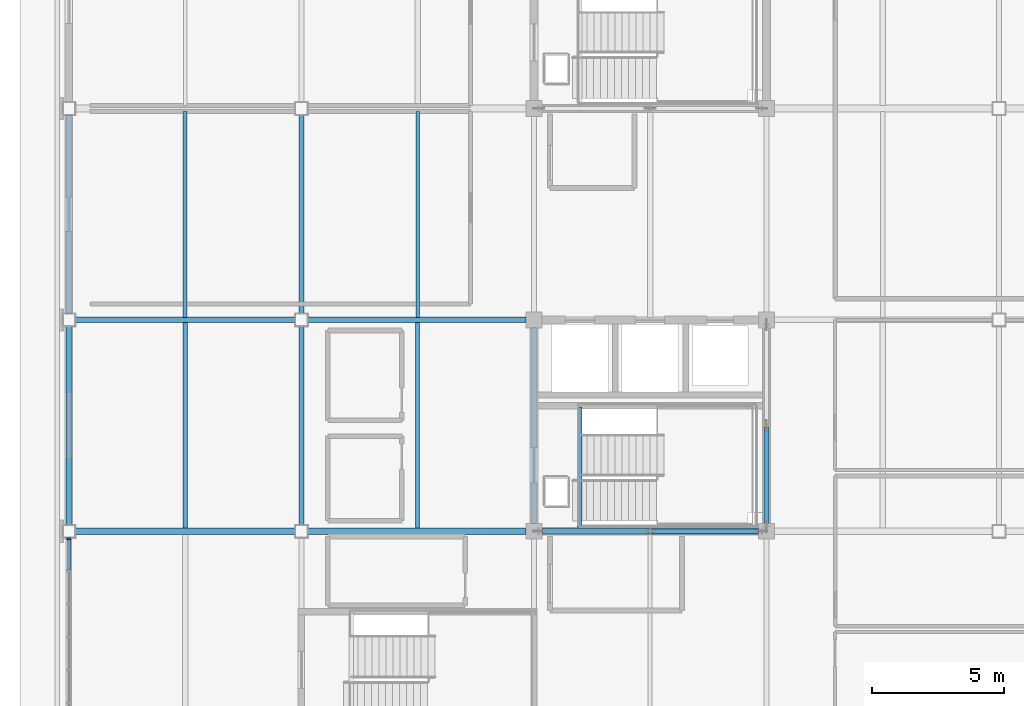
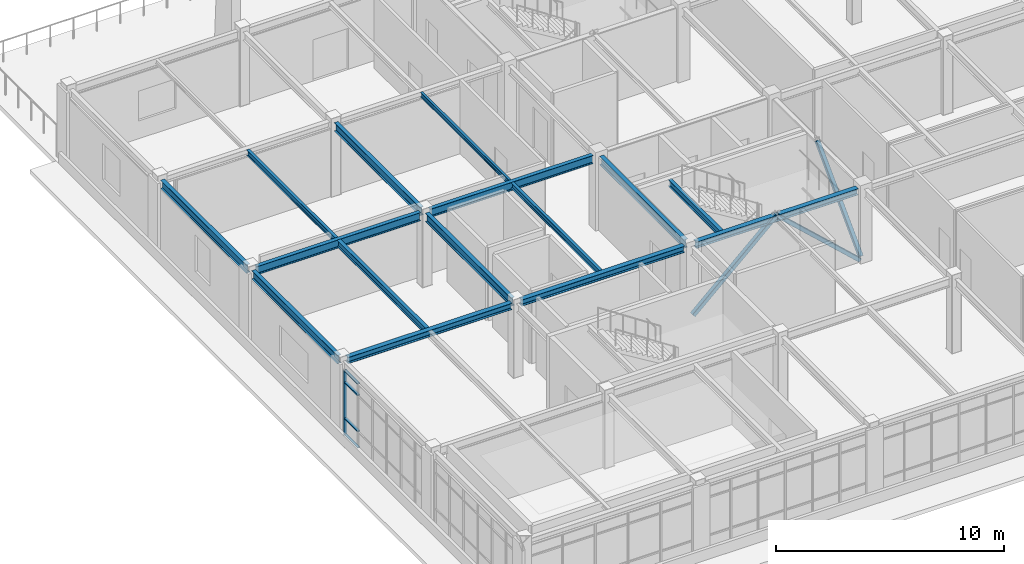
# One storey, part 5 of 22: 15 beams, 8 members, 1 element without a shape of its own.
"""IFC4 building model written with IfcOpenShell, lengths in metres."""

from ifc_helpers import new_model, si_unit, direction, frame, origin, origin_2d, place, context, subcontext, project, spatial, rectangle, hollow_rectangle, i_section, extrude, material, material_profile, profile_set, type_object, element, aggregate, save


model = new_model("IFC4")

# Units and contexts
model_context = context("Model", 3, precision=1e-05, world=origin(), true_north=direction((0.0, 1.0)))
body_context = subcontext(model_context, "Body", "Model", "MODEL_VIEW")
ifc_project = project(units=[si_unit("LENGTHUNIT", "METRE"), si_unit("AREAUNIT", "SQUARE_METRE"), si_unit("VOLUMEUNIT", "CUBIC_METRE"), si_unit("PLANEANGLEUNIT", "RADIAN"), si_unit("MASSUNIT", "GRAM", prefix="KILO")], contexts=[model_context])

# Site, building, storey
site_placement = place(None, origin())
site = spatial("IfcSite", under=ifc_project, at=site_placement, CompositionType="ELEMENT")
building_placement = place(site_placement, origin())
building = spatial("IfcBuilding", under=site, at=building_placement, Name="Zhaolan Boulevard Law Courts", CompositionType="ELEMENT")
storey_placement = place(building_placement, frame((0.0, 0.0, 28.800048828125)))
storey = spatial("IfcBuildingStorey", under=building, at=storey_placement, Name="L06", CompositionType="ELEMENT", Elevation=28.800048828125)

# Members
ifc_material_1 = material(Name="Structural steel Q355B", Category="steel")
ifc_material_profile_1 = material_profile(ifc_material_1, hollow_rectangle(XDim=0.199951171875, YDim=0.199951171875, WallThickness=0.010009765625, InnerFilletRadius=0.010009765625, OuterFilletRadius=0.02001953125, at=origin_2d()), Name="HSS200x200x10")
ifc_profile_set_1 = profile_set([ifc_material_profile_1], Name="Structural steel Q355B")
member_type_1 = type_object("IfcMemberType", Name="BRACE HSS200", PredefinedType="BRACE", material=ifc_profile_set_1)
member_1_placement = place(storey_placement, frame((26.219970703125, 46.0, 0.030029296875), z_axis=(-0.735277847563, 0.0, 0.677765805336), x_axis=(0.0, -1.0, 0.0)))
element("IfcMember", 1, at=member_1_placement, inside=storey, type_object=member_type_1, Name="Core Brace BR-W1-L06-S2", PredefinedType="BRACE", context=body_context, shape_type="SweptSolid", body=[
    extrude(hollow_rectangle(XDim=0.199951171875, YDim=0.199951171875, WallThickness=0.010009765625, InnerFilletRadius=0.010009765625, OuterFilletRadius=0.02001953125, at=origin_2d()), origin(), (0.0, 0.0, 1.0), 5.7392578125),
])
member_2_placement = place(storey_placement, frame((26.39990234375, 46.179931640625, 0.030029296875), z_axis=(0.0, 0.700674230962, 0.713481339676), x_axis=(-1.0, 0.0, 0.0)))
element("IfcMember", 2, at=member_2_placement, inside=storey, type_object=member_type_1, Name="Core Brace BR-W1-L06-E1", PredefinedType="BRACE", context=body_context, shape_type="SweptSolid", body=[
    extrude(hollow_rectangle(XDim=0.199951171875, YDim=0.199951171875, WallThickness=0.010009765625, InnerFilletRadius=0.010009765625, OuterFilletRadius=0.02001953125, at=origin_2d()), origin(), (0.0, 0.0, 1.0), 5.451904296875),
])
ifc_material_2 = material(Name="Structural steel Q355B", Category="steel")
ifc_material_profile_2 = material_profile(ifc_material_2, hollow_rectangle(XDim=0.219970703125, YDim=0.219970703125, WallThickness=0.010009765625, InnerFilletRadius=0.010009765625, OuterFilletRadius=0.02001953125, at=origin_2d()), Name="HSS220x220x10")
ifc_profile_set_2 = profile_set([ifc_material_profile_2], Name="Structural steel Q355B")
member_type_2 = type_object("IfcMemberType", Name="BRACE HSS220", PredefinedType="BRACE", material=ifc_profile_set_2)
member_3_placement = place(storey_placement, frame((17.780029296875, 46.0, 0.030029296875), z_axis=(0.735277847563, 0.0, 0.677765805336), x_axis=(0.0, 1.0, 0.0)))
element("IfcMember", 3, at=member_3_placement, inside=storey, type_object=member_type_2, Name="Core Brace BR-W1-L06-S1", PredefinedType="BRACE", context=body_context, shape_type="SweptSolid", body=[
    extrude(hollow_rectangle(XDim=0.219970703125, YDim=0.219970703125, WallThickness=0.010009765625, InnerFilletRadius=0.010009765625, OuterFilletRadius=0.02001953125, at=origin_2d()), origin(), (0.0, 0.0, 1.0), 5.7392578125),
])

# Curtain wall, members
ifc_material_3 = material(Name="Thermally broken aluminium and low-E glazing", Category="aluminium")
curtain_wall_type = type_object("IfcCurtainWallType", Name="CURTAIN WALL M14", PredefinedType="USERDEFINED", material=ifc_material_3)
curtain_wall_placement = place(storey_placement, origin())
curtain_wall = element("IfcCurtainWall", 4, at=curtain_wall_placement, inside=storey, type_object=curtain_wall_type, Name="Curtain Wall CW-L06-230", ObjectType="CURTAIN WALL", PredefinedType="USERDEFINED")
ifc_material_4 = material(Name="Fluorocarbon-coated aluminium 6063-T6", Category="aluminium")
ifc_material_profile_3 = material_profile(ifc_material_4, rectangle(XDim=0.159912109375, YDim=0.06005859375, at=origin_2d()), Name="AL60x160")
ifc_profile_set_3 = profile_set([ifc_material_profile_3], Name="Fluorocarbon-coated aluminium 6063-T6")
member_type_3 = type_object("IfcMemberType", Name="CWMULLION 60X160", PredefinedType="MULLION", material=ifc_profile_set_3)
member_4_placement = place(storey_placement, frame((0.0, 45.718017578125, 0.0), z_axis=(0.0, 0.0, 1.0), x_axis=(1.0, 0.0, 0.0)))
member_4 = element("IfcMember", 5, at=member_4_placement, type_object=member_type_3, Name="CW-L06-230 mullion 1", PredefinedType="MULLION", context=body_context, shape_type="SweptSolid", body=[
    extrude(rectangle(XDim=0.159912109375, YDim=0.06005859375, at=origin_2d()), origin(), (0.0, 0.0, 1.0), 3.48291015625),
])
ifc_material_5 = material(Name="Fluorocarbon-coated aluminium 6063-T6", Category="aluminium")
ifc_material_profile_4 = material_profile(ifc_material_5, rectangle(XDim=0.1201171875, YDim=0.06005859375, at=origin_2d()), Name="AL60x120")
ifc_profile_set_4 = profile_set([ifc_material_profile_4], Name="Fluorocarbon-coated aluminium 6063-T6")
member_type_4 = type_object("IfcMemberType", Name="CWTRANSOM 60X120", PredefinedType="USERDEFINED", material=ifc_profile_set_4)
member_5_placement = place(storey_placement, frame((0.0, 45.68798828125, 0.030029296875), z_axis=(0.0, -1.0, 0.0), x_axis=(1.0, 0.0, 0.0)))
member_5 = element("IfcMember", 6, at=member_5_placement, type_object=member_type_4, Name="CW-L06-230 transom 1.1", ObjectType="TRANSOM", PredefinedType="USERDEFINED", context=body_context, shape_type="SweptSolid", body=[
    extrude(rectangle(XDim=0.1201171875, YDim=0.06005859375, at=origin_2d()), origin(), (0.0, 0.0, 1.0), 1.159423828125),
])
member_6_placement = place(storey_placement, frame((0.0, 45.68798828125, 0.89990234375), z_axis=(0.0, -1.0, 0.0), x_axis=(1.0, 0.0, 0.0)))
member_6 = element("IfcMember", 7, at=member_6_placement, type_object=member_type_4, Name="CW-L06-230 transom 1.2", ObjectType="TRANSOM", PredefinedType="USERDEFINED", context=body_context, shape_type="SweptSolid", body=[
    extrude(rectangle(XDim=0.1201171875, YDim=0.06005859375, at=origin_2d()), origin(), (0.0, 0.0, 1.0), 1.159423828125),
])
member_7_placement = place(storey_placement, frame((0.0, 45.68798828125, 2.8330078125), z_axis=(0.0, -1.0, 0.0), x_axis=(1.0, 0.0, 0.0)))
member_7 = element("IfcMember", 8, at=member_7_placement, type_object=member_type_4, Name="CW-L06-230 transom 1.3", ObjectType="TRANSOM", PredefinedType="USERDEFINED", context=body_context, shape_type="SweptSolid", body=[
    extrude(rectangle(XDim=0.1201171875, YDim=0.06005859375, at=origin_2d()), origin(), (0.0, 0.0, 1.0), 1.159423828125),
])
member_8_placement = place(storey_placement, frame((0.0, 45.68798828125, 3.452880859375), z_axis=(0.0, -1.0, 0.0), x_axis=(1.0, 0.0, 0.0)))
member_8 = element("IfcMember", 9, at=member_8_placement, type_object=member_type_4, Name="CW-L06-230 transom 1.4", ObjectType="TRANSOM", PredefinedType="USERDEFINED", context=body_context, shape_type="SweptSolid", body=[
    extrude(rectangle(XDim=0.1201171875, YDim=0.06005859375, at=origin_2d()), origin(), (0.0, 0.0, 1.0), 1.159423828125),
])
aggregate(curtain_wall, [member_4, member_5, member_6, member_7, member_8])

# Beams
ifc_material_6 = material(Name="Structural steel Q355B", Category="steel")
ifc_material_profile_5 = material_profile(ifc_material_6, i_section(OverallWidth=0.199951171875, OverallDepth=0.449951171875, WebThickness=0.009033203125, FlangeThickness=0.013916015625, FilletRadius=0.01611328125, at=origin_2d()), Name="HN450x200")
ifc_profile_set_5 = profile_set([ifc_material_profile_5], Name="Structural steel Q355B")
beam_type_1 = type_object("IfcBeamType", Name="GIRDER HN450", PredefinedType="BEAM", material=ifc_profile_set_5)
beam_1_placement = place(storey_placement, frame((0.24609375, 54.0, 3.722900390625), z_axis=(1.0, 0.0, 0.0), x_axis=(0.0, 1.0, 0.0)))
element("IfcBeam", 10, at=beam_1_placement, inside=storey, type_object=beam_type_1, Name="Beam BX-L07-1-2-H", PredefinedType="BEAM", context=body_context, shape_type="SweptSolid", body=[
    extrude(i_section(OverallWidth=0.199951171875, OverallDepth=0.449951171875, WebThickness=0.009033203125, FlangeThickness=0.013916015625, FilletRadius=0.01611328125, at=origin_2d()), origin(), (0.0, 0.0, 1.0), 8.307861328125),
])
beam_2_placement = place(storey_placement, frame((9.0458984375, 54.0, 3.722900390625), z_axis=(1.0, 0.0, 0.0), x_axis=(0.0, 1.0, 0.0)))
element("IfcBeam", 11, at=beam_2_placement, inside=storey, type_object=beam_type_1, Name="Beam BX-L07-2-3-H", PredefinedType="BEAM", context=body_context, shape_type="SweptSolid", body=[
    extrude(i_section(OverallWidth=0.199951171875, OverallDepth=0.449951171875, WebThickness=0.009033203125, FlangeThickness=0.013916015625, FilletRadius=0.01611328125, at=origin_2d()), origin(), (0.0, 0.0, 1.0), 8.258056640625),
])
for number, where, z_axis, x_axis, name in (
    (12, (0.0, 46.24609375, 3.722900390625), (0.0, 1.0, 0.0), (-1.0, 0.0, 0.0), "Beam BY-L07-1-G-H"),
    (13, (0.0, 54.24609375, 3.722900390625), (0.0, 1.0, 0.0), (-1.0, 0.0, 0.0), "Beam BY-L07-1-H-J"),
    (14, (8.800048828125, 46.24609375, 3.722900390625), (0.0, 1.0, 0.0), (-1.0, 0.0, 0.0), "Beam BY-L07-2-G-H"),
    (15, (8.800048828125, 54.24609375, 3.722900390625), (0.0, 1.0, 0.0), (-1.0, 0.0, 0.0), "Beam BY-L07-2-H-J"),
):
    element("IfcBeam", number, at=place(storey_placement, frame(where, z_axis=z_axis, x_axis=x_axis)), inside=storey, type_object=beam_type_1, Name=name, PredefinedType="BEAM", context=body_context, shape_type="SweptSolid", body=[
        extrude(i_section(OverallWidth=0.199951171875, OverallDepth=0.449951171875, WebThickness=0.009033203125, FlangeThickness=0.013916015625, FilletRadius=0.01611328125, at=origin_2d()), origin(), (0.0, 0.0, 1.0), 7.5078125),
    ])
beam_3_placement = place(storey_placement, frame((17.60009765625, 46.2958984375, 3.722900390625), z_axis=(0.0, 1.0, 0.0), x_axis=(-1.0, 0.0, 0.0)))
element("IfcBeam", 16, at=beam_3_placement, inside=storey, type_object=beam_type_1, Name="Beam BY-L07-3-G-H", PredefinedType="BEAM", context=body_context, shape_type="SweptSolid", body=[
    extrude(i_section(OverallWidth=0.199951171875, OverallDepth=0.449951171875, WebThickness=0.009033203125, FlangeThickness=0.013916015625, FilletRadius=0.01611328125, at=origin_2d()), origin(), (0.0, 0.0, 1.0), 7.408203125),
])
ifc_material_7 = material(Name="Structural steel Q355B", Category="steel")
ifc_material_profile_6 = material_profile(ifc_material_7, i_section(OverallWidth=0.125, OverallDepth=0.25, WebThickness=0.006103515625, FlangeThickness=0.009033203125, FilletRadius=0.010009765625, at=origin_2d()), Name="HN250x125")
ifc_profile_set_6 = profile_set([ifc_material_profile_6], Name="Structural steel Q355B")
beam_type_2 = type_object("IfcBeamType", Name="JOIST HN250", PredefinedType="JOIST", material=ifc_profile_set_6)
beam_4_placement = place(storey_placement, frame((13.199951171875, 54.095947265625, 3.822998046875), z_axis=(0.0, 1.0, 0.0), x_axis=(-1.0, 0.0, 0.0)))
element("IfcBeam", 17, at=beam_4_placement, inside=storey, type_object=beam_type_2, Name="Composite Joist J-L07-2H", PredefinedType="JOIST", context=body_context, shape_type="SweptSolid", body=[
    extrude(i_section(OverallWidth=0.125, OverallDepth=0.25, WebThickness=0.006103515625, FlangeThickness=0.009033203125, FilletRadius=0.010009765625, at=origin_2d()), origin(), (0.0, 0.0, 1.0), 7.782958984375),
])
ifc_material_8 = material(Name="Structural steel Q355B", Category="steel")
ifc_material_profile_7 = material_profile(ifc_material_8, i_section(OverallWidth=0.14990234375, OverallDepth=0.300048828125, WebThickness=0.006591796875, FlangeThickness=0.009033203125, FilletRadius=0.010986328125, at=origin_2d()), Name="HN300x150")
ifc_profile_set_7 = profile_set([ifc_material_profile_7], Name="Structural steel Q355B")
beam_type_3 = type_object("IfcBeamType", Name="JOIST HN300", PredefinedType="JOIST", material=ifc_profile_set_7)
for number, where, z_axis, x_axis, name in (
    (18, (4.39990234375, 54.095947265625, 3.7978515625), (0.0, 1.0, 0.0), (-1.0, 0.0, 0.0), "Composite Joist J-L07-1H"),
    (19, (13.199951171875, 46.12109375, 3.7978515625), (0.0, 1.0, 0.0), (-1.0, 0.0, 0.0), "Composite Joist J-L07-2G"),
):
    element("IfcBeam", number, at=place(storey_placement, frame(where, z_axis=z_axis, x_axis=x_axis)), inside=storey, type_object=beam_type_3, Name=name, PredefinedType="JOIST", context=body_context, shape_type="SweptSolid", body=[
        extrude(i_section(OverallWidth=0.14990234375, OverallDepth=0.300048828125, WebThickness=0.006591796875, FlangeThickness=0.009033203125, FilletRadius=0.010986328125, at=origin_2d()), origin(), (0.0, 0.0, 1.0), 7.782958984375),
    ])
ifc_material_9 = material(Name="Structural steel Q355B", Category="steel")
ifc_material_profile_8 = material_profile(ifc_material_9, i_section(OverallWidth=0.175048828125, OverallDepth=0.35009765625, WebThickness=0.007080078125, FlangeThickness=0.010986328125, FilletRadius=0.012939453125, at=origin_2d()), Name="HN350x175")
ifc_profile_set_8 = profile_set([ifc_material_profile_8], Name="Structural steel Q355B")
beam_type_4 = type_object("IfcBeamType", Name="JOIST HN350", PredefinedType="JOIST", material=ifc_profile_set_8)
beam_5_placement = place(storey_placement, frame((4.39990234375, 46.12109375, 3.77294921875), z_axis=(0.0, 1.0, 0.0), x_axis=(-1.0, 0.0, 0.0)))
element("IfcBeam", 20, at=beam_5_placement, inside=storey, type_object=beam_type_4, Name="Composite Joist J-L07-1G", PredefinedType="JOIST", context=body_context, shape_type="SweptSolid", body=[
    extrude(i_section(OverallWidth=0.175048828125, OverallDepth=0.35009765625, WebThickness=0.007080078125, FlangeThickness=0.010986328125, FilletRadius=0.012939453125, at=origin_2d()), origin(), (0.0, 0.0, 1.0), 7.782958984375),
])
ifc_material_10 = material(Name="Structural steel Q355B", Category="steel")
ifc_material_profile_9 = material_profile(ifc_material_10, i_section(OverallWidth=0.25, OverallDepth=0.340087890625, WebThickness=0.009033203125, FlangeThickness=0.013916015625, FilletRadius=0.01611328125, at=origin_2d()), Name="HM340x250")
ifc_profile_set_9 = profile_set([ifc_material_profile_9], Name="Structural steel Q355B")
beam_type_5 = type_object("IfcBeamType", Name="SPANDREL HM340", PredefinedType="SPANDREL", material=ifc_profile_set_9)
beam_6_placement = place(storey_placement, frame((0.24609375, 46.0, 3.77783203125), z_axis=(1.0, 0.0, 0.0), x_axis=(0.0, 1.0, 0.0)))
element("IfcBeam", 21, at=beam_6_placement, inside=storey, type_object=beam_type_5, Name="Beam BX-L07-1-2-G", PredefinedType="SPANDREL", context=body_context, shape_type="SweptSolid", body=[
    extrude(i_section(OverallWidth=0.25, OverallDepth=0.340087890625, WebThickness=0.009033203125, FlangeThickness=0.013916015625, FilletRadius=0.01611328125, at=origin_2d()), origin(), (0.0, 0.0, 1.0), 8.307861328125),
])
beam_7_placement = place(storey_placement, frame((9.0458984375, 46.0, 3.77783203125), z_axis=(1.0, 0.0, 0.0), x_axis=(0.0, 1.0, 0.0)))
element("IfcBeam", 22, at=beam_7_placement, inside=storey, type_object=beam_type_5, Name="Beam BX-L07-2-3-G", PredefinedType="SPANDREL", context=body_context, shape_type="SweptSolid", body=[
    extrude(i_section(OverallWidth=0.25, OverallDepth=0.340087890625, WebThickness=0.009033203125, FlangeThickness=0.013916015625, FilletRadius=0.01611328125, at=origin_2d()), origin(), (0.0, 0.0, 1.0), 8.258056640625),
])
beam_8_placement = place(storey_placement, frame((17.89599609375, 46.0, 3.77783203125), z_axis=(1.0, 0.0, 0.0), x_axis=(0.0, 1.0, 0.0)))
element("IfcBeam", 23, at=beam_8_placement, inside=storey, type_object=beam_type_5, Name="Beam BX-L07-3-4-G", PredefinedType="SPANDREL", context=body_context, shape_type="SweptSolid", body=[
    extrude(i_section(OverallWidth=0.25, OverallDepth=0.340087890625, WebThickness=0.009033203125, FlangeThickness=0.013916015625, FilletRadius=0.01611328125, at=origin_2d()), origin(), (0.0, 0.0, 1.0), 8.2080078125),
])
ifc_material_11 = material(Name="Structural steel Q355B", Category="steel")
ifc_material_profile_10 = material_profile(ifc_material_11, i_section(OverallWidth=0.175048828125, OverallDepth=0.35009765625, WebThickness=0.007080078125, FlangeThickness=0.010986328125, FilletRadius=0.012939453125, at=origin_2d()), Name="HN350x175")
ifc_profile_set_10 = profile_set([ifc_material_profile_10], Name="Structural steel Q355B")
beam_type_6 = type_object("IfcBeamType", Name="STAIR TRIMMER HN350", PredefinedType="BEAM", material=ifc_profile_set_10)
beam_9_placement = place(storey_placement, frame((19.3349609375, 46.139892578125, 3.73486328125), z_axis=(0.0, 1.0, 0.0), x_axis=(-1.0, 0.0, 0.0)))
element("IfcBeam", 24, at=beam_9_placement, inside=storey, type_object=beam_type_6, Name="Stair Landing Trimmer Beam STB-ST01-L07", PredefinedType="BEAM", context=body_context, shape_type="SweptSolid", body=[
    extrude(i_section(OverallWidth=0.175048828125, OverallDepth=0.35009765625, WebThickness=0.007080078125, FlangeThickness=0.010986328125, FilletRadius=0.012939453125, at=origin_2d()), origin(), (0.0, 0.0, 1.0), 4.570068359375),
])

save(model, "model.ifc")
